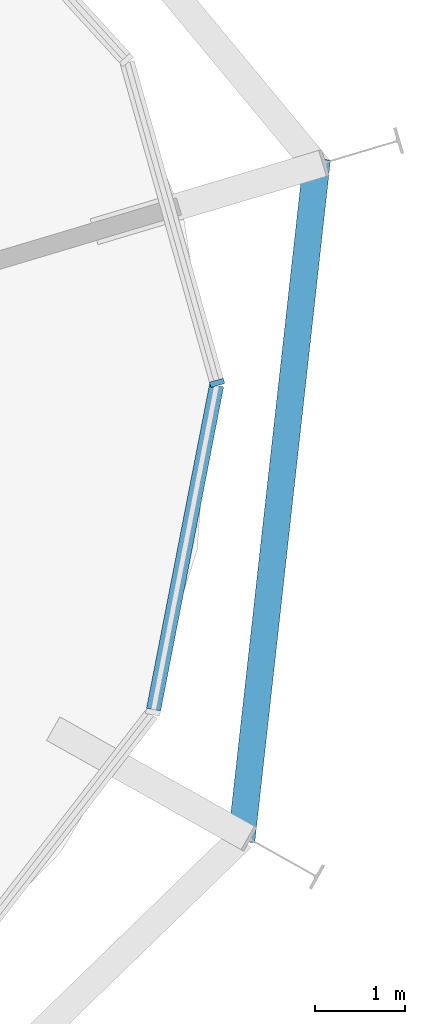
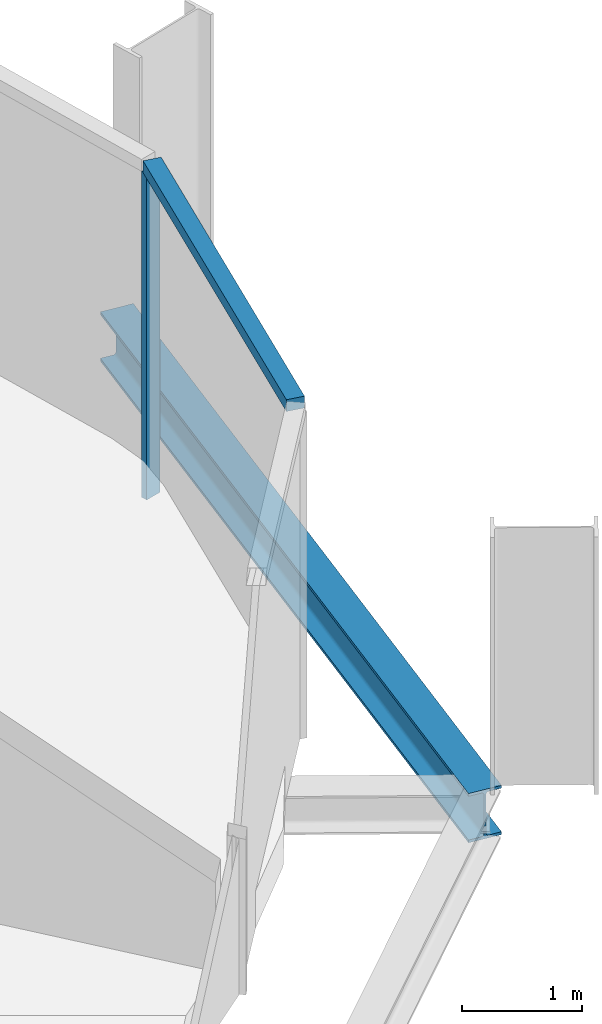
# One storey, part 5 of 17: 2 members, 1 beam, 1 element without a shape of its own.
"""IFC4 building model written with IfcOpenShell, lengths in metres."""

from ifc_helpers import new_model, si_unit, direction, frame, origin, origin_2d, place, context, subcontext, project, spatial, rectangle, i_section, extrude, material, layer, layer_set, material_profile, profile_set, type_object, element, aggregate, save


model = new_model("IFC4")

# Units and contexts
model_context = context("Model", 3, precision=1e-05, world=origin(), true_north=direction((0.0, 1.0)))
body_context = subcontext(model_context, "Body", "Model", "MODEL_VIEW")
ifc_project = project(units=[si_unit("LENGTHUNIT", "METRE"), si_unit("AREAUNIT", "SQUARE_METRE"), si_unit("VOLUMEUNIT", "CUBIC_METRE"), si_unit("PLANEANGLEUNIT", "RADIAN"), si_unit("MASSUNIT", "GRAM", prefix="KILO")], contexts=[model_context])

# Site, building, storey
site_placement = place(None, origin())
site = spatial("IfcSite", under=ifc_project, at=site_placement, CompositionType="ELEMENT")
building_placement = place(site_placement, origin())
building = spatial("IfcBuilding", under=site, at=building_placement, Name="Spindle Arch Residences", CompositionType="ELEMENT")
storey_placement = place(building_placement, frame((0.0, 0.0, 287.89990234375)))
storey = spatial("IfcBuildingStorey", under=building, at=storey_placement, Name="L74", CompositionType="ELEMENT", Elevation=287.89990234375)

# Curtain wall, members
ifc_material_1 = material(Name="Aluminium bronze unitised frame with tinted glass", Category="aluminium")
ifc_layer = layer(ifc_material_1, 0.159912109375)
ifc_layer_set = layer_set([ifc_layer], Name="CW-D corner wall on the fillet arcs")
curtain_wall_type = type_object("IfcCurtainWallType", Name="CW-D corner wall on the fillet arcs", PredefinedType="NOTDEFINED", material=ifc_layer_set)
curtain_wall_placement = place(storey_placement, origin())
curtain_wall = element("IfcCurtainWall", 1, at=curtain_wall_placement, inside=storey, type_object=curtain_wall_type, Name="CW-D L74 run 1", PredefinedType="NOTDEFINED")
ifc_material_2 = material(Name="Aluminium bronze anodised mullion", Category="aluminium")
ifc_material_profile_1 = material_profile(ifc_material_2, rectangle(XDim=0.159912109375, YDim=0.06005859375, at=origin_2d()), Name="MU 60x160")
ifc_profile_set_1 = profile_set([ifc_material_profile_1], Name="Aluminium bronze anodised mullion")
member_type_1 = type_object("IfcMemberType", Name="Bronze mullion 60x160", PredefinedType="MULLION", material=ifc_profile_set_1)
member_1_placement = place(storey_placement, frame((26.832763671875, 3.300048828125, -0.3798828125), z_axis=(0.0, 0.0, 1.0), x_axis=(-0.962849012696, -0.270040328007, 0.0)))
member_1 = element("IfcMember", 2, at=member_1_placement, type_object=member_type_1, Name="CW-D mullion 03", PredefinedType="MULLION", context=body_context, shape_type="SweptSolid", body=[
    extrude(rectangle(XDim=0.159912109375, YDim=0.06005859375, at=origin_2d()), origin(), (0.0, 0.0, 1.0), 3.31005859375),
])
ifc_material_3 = material(Name="Aluminium bronze anodised transom", Category="aluminium")
ifc_material_profile_2 = material_profile(ifc_material_3, rectangle(XDim=0.159912109375, YDim=0.1201171875, at=origin_2d()), Name="TR 120x160")
ifc_profile_set_2 = profile_set([ifc_material_profile_2], Name="Aluminium bronze anodised transom")
member_type_2 = type_object("IfcMemberType", Name="Bronze transom 120x160", PredefinedType="USERDEFINED", material=ifc_profile_set_2)
member_2_placement = place(storey_placement, frame((26.127197265625, -0.32861328125, 2.989990234375), z_axis=(0.190825105639, 0.981624051793, 0.0), x_axis=(-0.981624051793, 0.190825105639, 0.0)))
member_2 = element("IfcMember", 3, at=member_2_placement, type_object=member_type_2, Name="CW-D transom 02", ObjectType="TRANSOM", PredefinedType="USERDEFINED", context=body_context, shape_type="SweptSolid", body=[
    extrude(rectangle(XDim=0.159912109375, YDim=0.1201171875, at=origin_2d()), origin(), (0.0, 0.0, 1.0), 3.666748046875),
])
aggregate(curtain_wall, [member_2, member_1])

# Beam
ifc_material_4 = material(Name="Steel S460ML, intumescent coating R 120", Category="steel")
ifc_material_profile_3 = material_profile(ifc_material_4, i_section(OverallWidth=0.300048828125, OverallDepth=0.5, WebThickness=0.014404296875, FlangeThickness=0.028076171875, FilletRadius=0.027099609375, at=origin_2d()), Name="HEB 500")
ifc_profile_set_3 = profile_set([ifc_material_profile_3], Name="Steel S460ML, intumescent coating R 120")
beam_type = type_object("IfcBeamType", Name="Exoskeleton edge beam HEB 500", PredefinedType="BEAM", material=ifc_profile_set_3)
beam_placement = place(storey_placement, frame((27.102294921875, -1.793701171875, -0.6298828125), z_axis=(0.110238412097, 0.99390517279, 0.0), x_axis=(-0.99390517279, 0.110238412097, 0.0)))
element("IfcBeam", 4, at=beam_placement, inside=storey, type_object=beam_type, Name="Exoskeleton edge beam 3", PredefinedType="BEAM", context=body_context, shape_type="SweptSolid", body=[
    extrude(i_section(OverallWidth=0.300048828125, OverallDepth=0.5, WebThickness=0.014404296875, FlangeThickness=0.028076171875, FilletRadius=0.027099609375, at=origin_2d()), origin(), (0.0, 0.0, 1.0), 7.6318359375),
])

save(model, "model.ifc")
